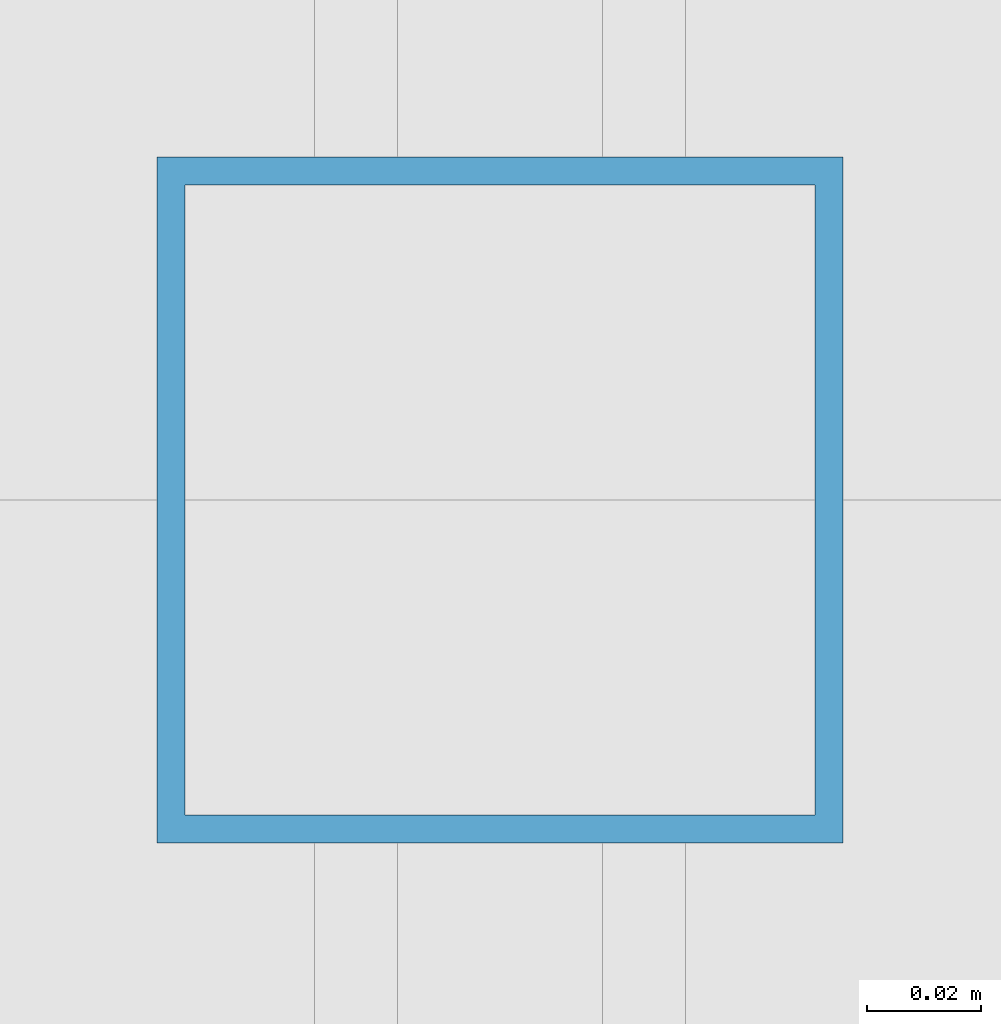
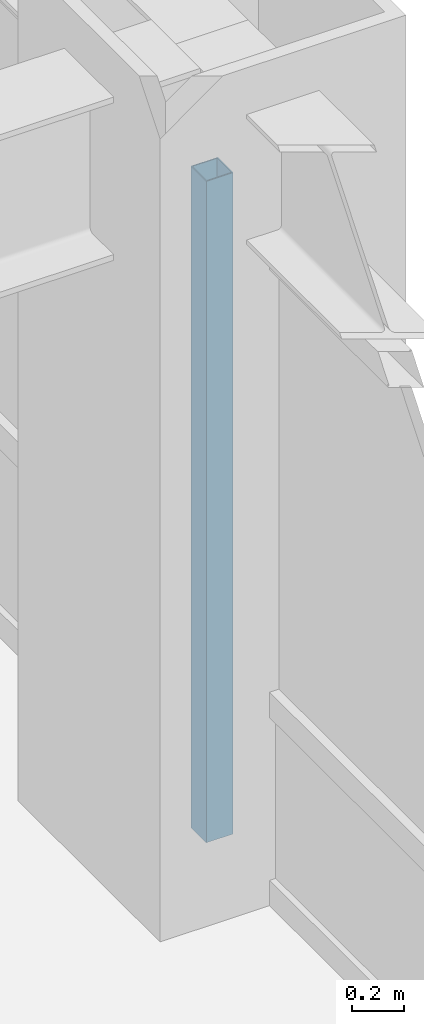
# One storey, part 10 of 28: 1 member, 1 element without a shape of its own.
"""IFC4 building model written with IfcOpenShell, lengths in metres."""

from ifc_helpers import new_model, si_unit, direction, frame, origin, origin_2d, place, context, subcontext, project, spatial, hollow_rectangle, extrude, source, transform, mapped, material, material_profile, profile_set, type_object, element, aggregate, save


model = new_model("IFC4")

# Units and contexts
model_context = context("Model", 3, precision=1e-05, world=origin(), true_north=direction((0.0, 1.0)))
body_context = subcontext(model_context, "Body", "Model", "MODEL_VIEW")
ifc_project = project(units=[si_unit("LENGTHUNIT", "METRE"), si_unit("AREAUNIT", "SQUARE_METRE"), si_unit("VOLUMEUNIT", "CUBIC_METRE"), si_unit("PLANEANGLEUNIT", "RADIAN"), si_unit("MASSUNIT", "GRAM", prefix="KILO")], contexts=[model_context])

# Site, building, storey
site_placement = place(None, origin())
site = spatial("IfcSite", under=ifc_project, at=site_placement, CompositionType="ELEMENT")
building_placement = place(site_placement, origin())
building = spatial("IfcBuilding", under=site, at=building_placement, Name="Khorayat Bourse Tower", CompositionType="ELEMENT")
storey_placement = place(building_placement, frame((0.0, 0.0, 187.10009765625)))
storey = spatial("IfcBuildingStorey", under=building, at=storey_placement, Name="L43", CompositionType="ELEMENT", Elevation=187.10009765625)

# Curtain wall, member
ifc_material = material(Name="Aluminium EN AW-6063 T6", Category="aluminium")
curtain_wall_type = type_object("IfcCurtainWallType", Name="CW-SYS-03", PredefinedType="NOTDEFINED", material=ifc_material)
curtain_wall_placement = place(storey_placement, origin())
curtain_wall = element("IfcCurtainWall", 1, at=curtain_wall_placement, inside=storey, type_object=curtain_wall_type, Name="L43 Curtain Wall CW-L43-E1", PredefinedType="NOTDEFINED")
ifc_material_profile = material_profile(ifc_material, hollow_rectangle(XDim=0.1201171875, YDim=0.1201171875, WallThickness=0.0048828125, at=origin_2d()), Name="ALU 120x120x5")
ifc_profile_set = profile_set([ifc_material_profile], Name="Aluminium EN AW-6063 T6")
member_type = type_object("IfcMemberType", Name="CWM-VERT-120", PredefinedType="MULLION", material=ifc_profile_set)
shared_shape = source(origin(), body_context, "Body", "SweptSolid", [
    extrude(hollow_rectangle(XDim=0.1201171875, YDim=0.1201171875, WallThickness=0.0048828125, at=origin_2d()), origin(), (0.0, 0.0, 1.0), 3.1298828125),
])
member_placement = place(storey_placement, frame((30.0, 0.0, 0.0), z_axis=(0.0, 0.0, 1.0), x_axis=(-1.0, 0.0, 0.0)))
member = element("IfcMember", 2, at=member_placement, type_object=member_type, Name="CW-L43-E1 Vertical Mullion 2", PredefinedType="MULLION", context=body_context, shape_type="MappedRepresentation", body=[
    mapped(shared_shape, transform((0.0, 0.0, 0.0), scale=1.0)),
])
aggregate(curtain_wall, [member])

save(model, "model.ifc")
